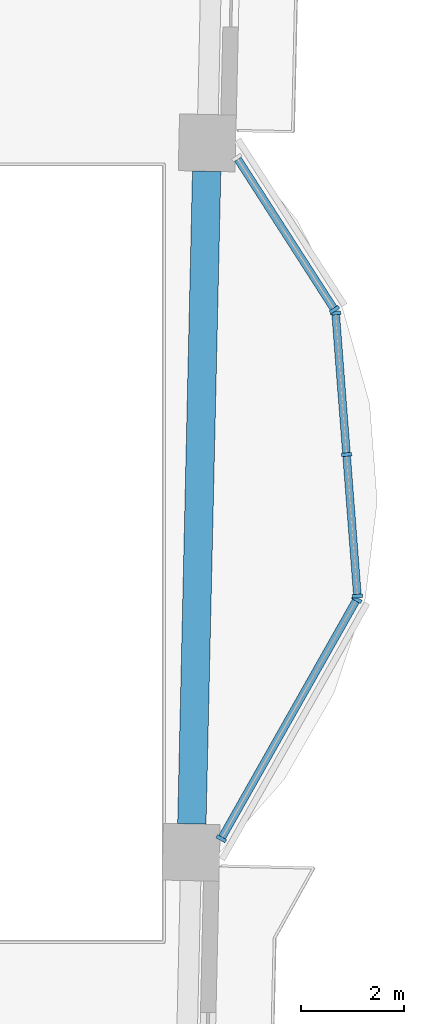
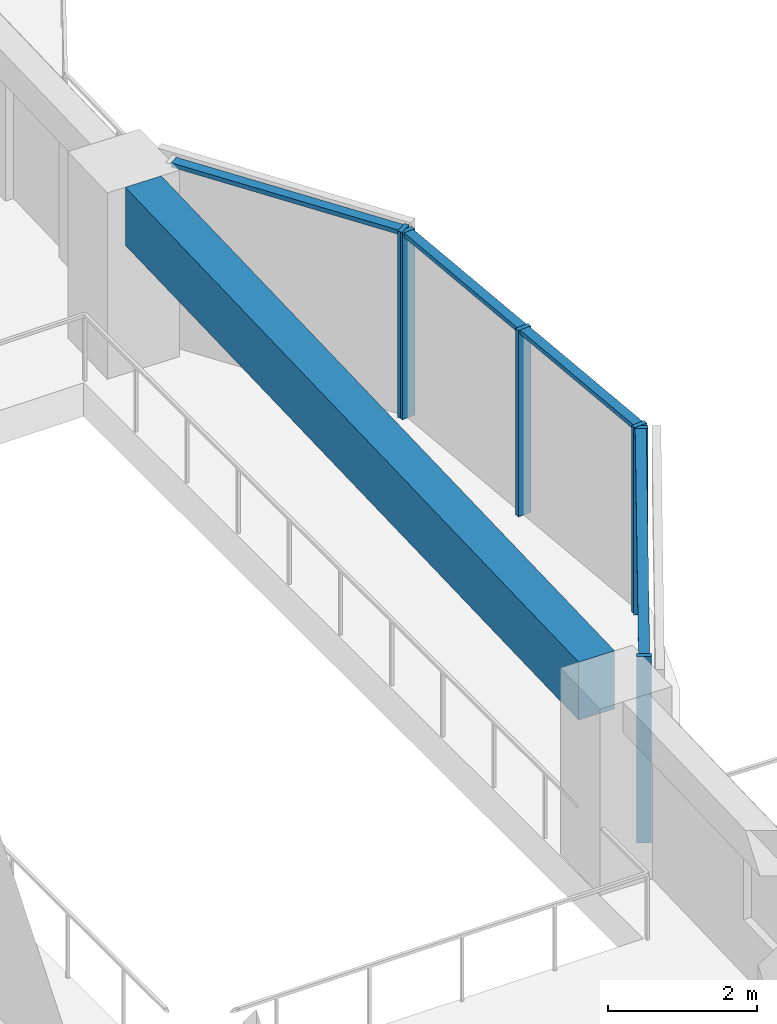
# One storey, part 2 of 16: 10 members, 1 beam, 3 elements without a shape of their own.
"""IFC4 building model written with IfcOpenShell, lengths in metres."""

from ifc_helpers import new_model, si_unit, direction, frame, origin, origin_2d, place, context, subcontext, project, spatial, rectangle, extrude, material, material_profile, profile_set, type_object, element, aggregate, save


model = new_model("IFC4")

# Units and contexts
model_context = context("Model", 3, precision=1e-05, world=origin(), true_north=direction((0.0, 1.0)))
body_context = subcontext(model_context, "Body", "Model", "MODEL_VIEW")
ifc_project = project(units=[si_unit("LENGTHUNIT", "METRE"), si_unit("AREAUNIT", "SQUARE_METRE"), si_unit("VOLUMEUNIT", "CUBIC_METRE"), si_unit("PLANEANGLEUNIT", "RADIAN"), si_unit("MASSUNIT", "GRAM", prefix="KILO")], contexts=[model_context])

# Site, building, storey
site_placement = place(None, origin())
site = spatial("IfcSite", under=ifc_project, at=site_placement, CompositionType="ELEMENT")
building_placement = place(site_placement, origin())
building = spatial("IfcBuilding", under=site, at=building_placement, Name="Mangrove Gate Tower", CompositionType="ELEMENT")
storey_placement = place(building_placement, frame((0.0, 0.0, 212.300048828125)))
storey = spatial("IfcBuildingStorey", under=building, at=storey_placement, Name="L54", CompositionType="ELEMENT", Elevation=212.300048828125)

# Curtain wall, members
ifc_material_1 = material(Name="Aluminium and glass curtain wall", Category="aluminium")
curtain_wall_type = type_object("IfcCurtainWallType", Name="Atrium garden-court glazing wall", PredefinedType="NOTDEFINED", material=ifc_material_1)
curtain_wall_1_placement = place(storey_placement, origin())
curtain_wall_1 = element("IfcCurtainWall", 1, at=curtain_wall_1_placement, inside=storey, type_object=curtain_wall_type, Name="Atrium garden-court glazing E1f1", PredefinedType="NOTDEFINED")
ifc_material_2 = material(Name="Aluminium alloy 6063-T6", Category="aluminium")
ifc_material_profile_1 = material_profile(ifc_material_2, rectangle(XDim=0.070068359375, YDim=0.199951171875, at=origin_2d()))
ifc_profile_set_1 = profile_set([ifc_material_profile_1], Name="Aluminium alloy 6063-T6")
member_type_1 = type_object("IfcMemberType", Name="Atrium garden-court glazing mullion 70x200", PredefinedType="MULLION", material=ifc_profile_set_1)
member_1_placement = place(storey_placement, frame((24.141845703125, -5.53564453125, 0.0), z_axis=(0.0, 0.0, 1.0), x_axis=(0.492599932635, 0.870255885569, 0.0)))
member_1 = element("IfcMember", 2, at=member_1_placement, type_object=member_type_1, Name="CWA mullion 1", PredefinedType="MULLION", context=body_context, shape_type="SweptSolid", body=[
    extrude(rectangle(XDim=0.070068359375, YDim=0.199951171875, at=origin_2d()), origin(), (0.0, 0.0, 1.0), 3.050048828125),
])
member_2_placement = place(storey_placement, frame((26.7666015625, -0.8984375, 0.0), z_axis=(0.0, 0.0, 1.0), x_axis=(0.492599932635, 0.870255885569, 0.0)))
member_2 = element("IfcMember", 3, at=member_2_placement, type_object=member_type_1, Name="CWA mullion 2", PredefinedType="MULLION", context=body_context, shape_type="SweptSolid", body=[
    extrude(rectangle(XDim=0.070068359375, YDim=0.199951171875, at=origin_2d()), origin(), (0.0, 0.0, 1.0), 3.050048828125),
])

curtain_wall_2_placement = place(storey_placement, origin())
curtain_wall_2 = element("IfcCurtainWall", 4, at=curtain_wall_2_placement, inside=storey, type_object=curtain_wall_type, Name="Atrium garden-court glazing E1f2", PredefinedType="NOTDEFINED")
member_3_placement = place(storey_placement, frame((26.78125, -0.8330078125, 0.0), z_axis=(0.0, 0.0, 1.0), x_axis=(-0.077023348229, 0.997029289353, 0.0)))
member_3 = element("IfcMember", 5, at=member_3_placement, type_object=member_type_1, Name="CWA mullion 1", PredefinedType="MULLION", context=body_context, shape_type="SweptSolid", body=[
    extrude(rectangle(XDim=0.070068359375, YDim=0.199951171875, at=origin_2d()), origin(), (0.0, 0.0, 1.0), 3.050048828125),
])
member_4_placement = place(storey_placement, frame((26.5693359375, 1.910400390625, 0.0), z_axis=(0.0, 0.0, 1.0), x_axis=(-0.077023348229, 0.997029289353, 0.0)))
member_4 = element("IfcMember", 6, at=member_4_placement, type_object=member_type_1, Name="CWA mullion 2", PredefinedType="MULLION", context=body_context, shape_type="SweptSolid", body=[
    extrude(rectangle(XDim=0.070068359375, YDim=0.199951171875, at=origin_2d()), origin(), (0.0, 0.0, 1.0), 3.050048828125),
])
member_5_placement = place(storey_placement, frame((26.357177734375, 4.654052734375, 0.0), z_axis=(0.0, 0.0, 1.0), x_axis=(-0.077023348229, 0.997029289353, 0.0)))
member_5 = element("IfcMember", 7, at=member_5_placement, type_object=member_type_1, Name="CWA mullion 3", PredefinedType="MULLION", context=body_context, shape_type="SweptSolid", body=[
    extrude(rectangle(XDim=0.070068359375, YDim=0.199951171875, at=origin_2d()), origin(), (0.0, 0.0, 1.0), 3.050048828125),
])

# Curtain wall, member
curtain_wall_3_placement = place(storey_placement, origin())
curtain_wall_3 = element("IfcCurtainWall", 8, at=curtain_wall_3_placement, inside=storey, type_object=curtain_wall_type, Name="Atrium garden-court glazing E1f3", PredefinedType="NOTDEFINED")
member_6_placement = place(storey_placement, frame((26.335693359375, 4.71826171875, 0.0), z_axis=(0.0, 0.0, 1.0), x_axis=(-0.540523066602, 0.841329195067, 0.0)))
member_6 = element("IfcMember", 9, at=member_6_placement, type_object=member_type_1, Name="CWA mullion 1", PredefinedType="MULLION", context=body_context, shape_type="SweptSolid", body=[
    extrude(rectangle(XDim=0.070068359375, YDim=0.199951171875, at=origin_2d()), origin(), (0.0, 0.0, 1.0), 3.050048828125),
])

# Member
ifc_material_3 = material(Name="Aluminium alloy 6063-T6", Category="aluminium")
ifc_material_profile_2 = material_profile(ifc_material_3, rectangle(XDim=0.070068359375, YDim=0.14990234375, at=origin_2d()))
ifc_profile_set_2 = profile_set([ifc_material_profile_2], Name="Aluminium alloy 6063-T6")
member_type_2 = type_object("IfcMemberType", Name="Atrium garden-court glazing transom 70x150", PredefinedType="USERDEFINED", material=ifc_profile_set_2)
member_7_placement = place(storey_placement, frame((24.158935546875, -5.505126953125, 3.014892578125), z_axis=(0.492604854248, 0.870253099719, 0.0), x_axis=(0.0, 0.0, 1.0)))
member_7 = element("IfcMember", 10, at=member_7_placement, type_object=member_type_2, Name="CWA transom 1.2", ObjectType="TRANSOM", PredefinedType="USERDEFINED", context=body_context, shape_type="SweptSolid", body=[
    extrude(rectangle(XDim=0.070068359375, YDim=0.14990234375, at=origin_2d()), origin(), (0.0, 0.0, 1.0), 5.258544921875),
])

aggregate(curtain_wall_1, [member_1, member_2, member_7])

member_8_placement = place(storey_placement, frame((26.778564453125, -0.798095703125, 3.014892578125), z_axis=(-0.077023719707, 0.997029260655, 0.0), x_axis=(0.0, 0.0, 1.0)))
member_8 = element("IfcMember", 11, at=member_8_placement, type_object=member_type_2, Name="CWA transom 1.2", ObjectType="TRANSOM", PredefinedType="USERDEFINED", context=body_context, shape_type="SweptSolid", body=[
    extrude(rectangle(XDim=0.070068359375, YDim=0.14990234375, at=origin_2d()), origin(), (0.0, 0.0, 1.0), 2.681640625),
])

member_9_placement = place(storey_placement, frame((26.56640625, 1.9453125, 3.014892578125), z_axis=(-0.07701672858, 0.997029800718, 0.0), x_axis=(0.0, 0.0, 1.0)))
member_9 = element("IfcMember", 12, at=member_9_placement, type_object=member_type_2, Name="CWA transom 2.2", ObjectType="TRANSOM", PredefinedType="USERDEFINED", context=body_context, shape_type="SweptSolid", body=[
    extrude(rectangle(XDim=0.070068359375, YDim=0.14990234375, at=origin_2d()), origin(), (0.0, 0.0, 1.0), 2.681884765625),
])

aggregate(curtain_wall_2, [member_3, member_4, member_5, member_8, member_9])

member_10_placement = place(storey_placement, frame((26.316650390625, 4.747802734375, 3.014892578125), z_axis=(-0.540473277627, 0.841361180571, 0.0), x_axis=(0.0, 0.0, 1.0)))
member_10 = element("IfcMember", 13, at=member_10_placement, type_object=member_type_2, Name="CWA transom 1.2", ObjectType="TRANSOM", PredefinedType="USERDEFINED", context=body_context, shape_type="SweptSolid", body=[
    extrude(rectangle(XDim=0.070068359375, YDim=0.14990234375, at=origin_2d()), origin(), (0.0, 0.0, 1.0), 3.428955078125),
])

aggregate(curtain_wall_3, [member_6, member_10])

# Beam
ifc_material_4 = material(Name="Concrete C50/60", Category="concrete")
ifc_material_profile_3 = material_profile(ifc_material_4, rectangle(XDim=0.550048828125, YDim=0.949951171875, at=origin_2d()))
ifc_profile_set_3 = profile_set([ifc_material_profile_3], Name="Concrete C50/60")
beam_type = type_object("IfcBeamType", Name="Edge beam RC 550x950 C50/60", PredefinedType="BEAM", material=ifc_profile_set_3)
beam_placement = place(storey_placement, frame((23.571533203125, -5.248779296875, 2.574951171875), z_axis=(0.022693351373, 0.999742472742, 0.0), x_axis=(-0.999742472742, 0.022693351373, 0.0)))
element("IfcBeam", 14, at=beam_placement, inside=storey, type_object=beam_type, Name="Edge beam L54 14", PredefinedType="BEAM", context=body_context, shape_type="SweptSolid", body=[
    extrude(rectangle(XDim=0.550048828125, YDim=0.949951171875, at=origin_2d()), origin(), (0.0, 0.0, 1.0), 12.651611328125),
])

save(model, "model.ifc")
